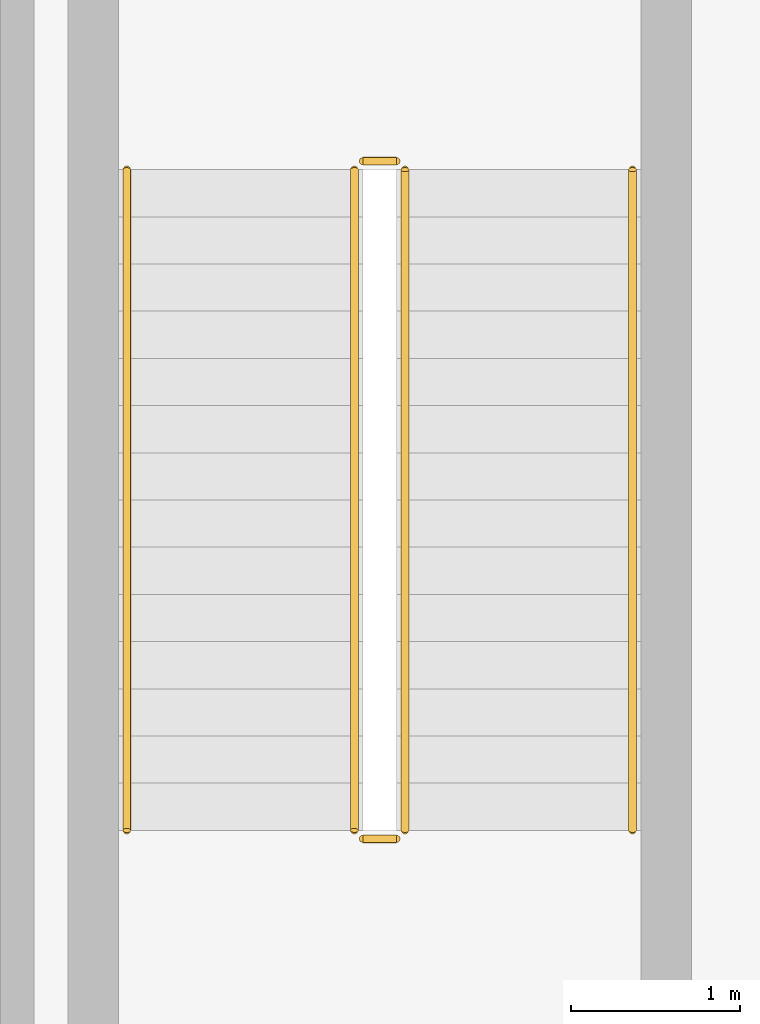
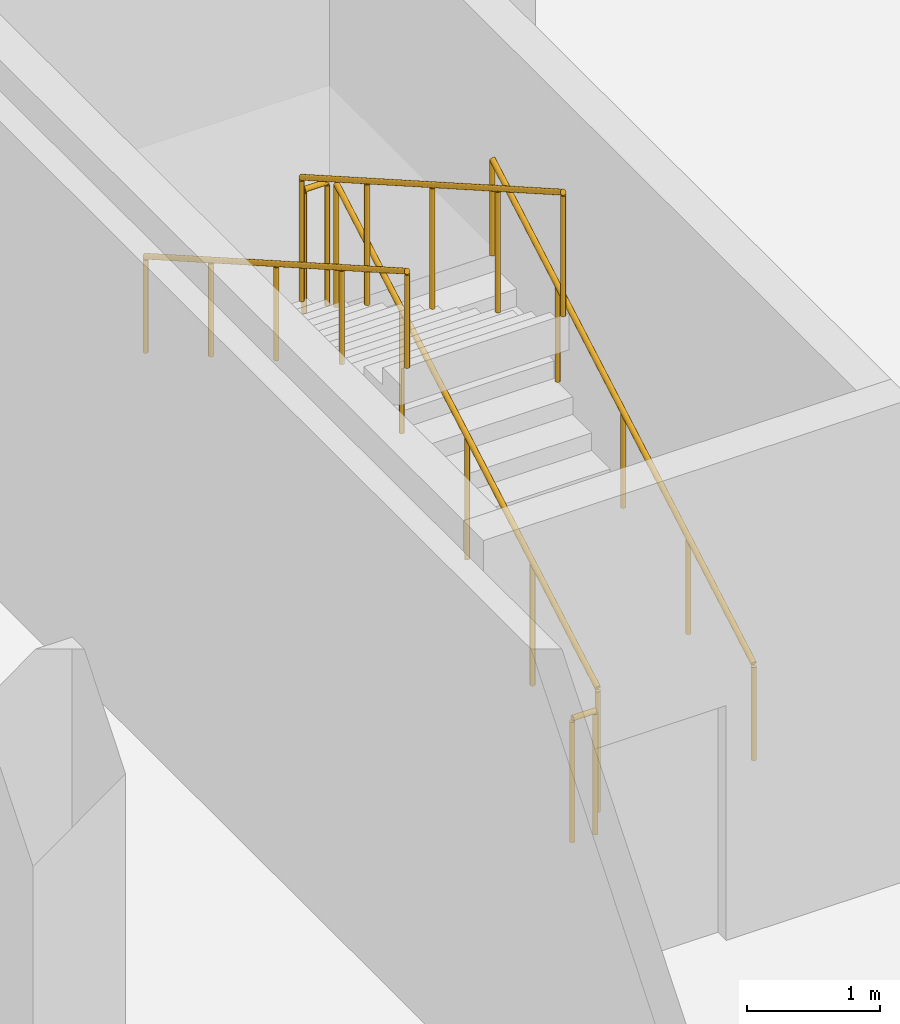
# One storey, part 15 of 17: 6 railings.
"""IFC4 building model written with IfcOpenShell, lengths in metres."""

from ifc_helpers import new_model, si_unit, direction, frame, origin, origin_2d, place, context, subcontext, project, spatial, circle, extrude, material, type_object, element, save


model = new_model("IFC4")

# Units and contexts
model_context = context("Model", 3, precision=1e-05, world=origin(), true_north=direction((0.0, 1.0)))
body_context = subcontext(model_context, "Body", "Model", "MODEL_VIEW")
ifc_project = project(units=[si_unit("LENGTHUNIT", "METRE"), si_unit("AREAUNIT", "SQUARE_METRE"), si_unit("VOLUMEUNIT", "CUBIC_METRE"), si_unit("PLANEANGLEUNIT", "RADIAN"), si_unit("MASSUNIT", "GRAM", prefix="KILO")], contexts=[model_context])

# Site, building, storey
site_placement = place(None, origin())
site = spatial("IfcSite", under=ifc_project, at=site_placement, CompositionType="ELEMENT")
building_placement = place(site_placement, origin())
building = spatial("IfcBuilding", under=site, at=building_placement, Name="Brinegate Botanical Conservatory", CompositionType="ELEMENT")
storey_placement = place(building_placement, frame((0.0, 0.0, -4.800048828125)))
storey = spatial("IfcBuildingStorey", under=building, at=storey_placement, Name="B1", CompositionType="ELEMENT", Elevation=-4.800048828125)

# Railings
ifc_material_1 = material(Name="Structural steel Q355B / S355 painted tubular guardrail", Category="steel")
railing_type_1 = type_object("IfcRailingType", Name="Rail_ST-GRD", PredefinedType="GUARDRAIL", material=ifc_material_1)
railing_1_placement = place(storey_placement, frame((14.10009765625, 96.89990234375, 0.16015625)))
element("IfcRailing", 1, at=railing_1_placement, inside=storey, type_object=railing_type_1, Name="B1 ST8 stair guard 1", PredefinedType="GUARDRAIL", context=body_context, shape_type="SweptSolid", body=[
    extrude(circle(Radius=0.02392578125, at=origin_2d()), frame((0.0, 0.0, 1.1259765625), z_axis=(0.0, 0.86825312469, 0.496121468458), x_axis=(-1.0, 0.0, 0.0)), (0.0, 0.0, 1.0), 4.514892578125),
    extrude(circle(Radius=0.02099609375, at=origin_2d()), origin(), (0.0, 0.0, 1.0), 1.101806640625),
    extrude(circle(Radius=0.02099609375, at=origin_2d()), frame((0.0, 0.97998046875, 0.56005859375)), (0.0, 0.0, 1.0), 1.101806640625),
    extrude(circle(Radius=0.02099609375, at=origin_2d()), frame((0.0, 1.9599609375, 1.1201171875)), (0.0, 0.0, 1.0), 1.101806640625),
    extrude(circle(Radius=0.02099609375, at=origin_2d()), frame((0.0, 2.940185546875, 1.679931640625)), (0.0, 0.0, 1.0), 1.101806640625),
    extrude(circle(Radius=0.02099609375, at=origin_2d()), frame((0.0, 3.920166015625, 2.239990234375)), (0.0, 0.0, 1.0), 1.101806640625),
])
railing_2_placement = place(storey_placement, frame((14.050048828125, 100.8701171875, 2.400146484375)))
element("IfcRailing", 2, at=railing_2_placement, inside=storey, type_object=railing_type_1, Name="B1 ST8 stair guard 2", PredefinedType="GUARDRAIL", context=body_context, shape_type="SweptSolid", body=[
    extrude(circle(Radius=0.02392578125, at=origin_2d()), frame((0.0, 0.0, 1.1259765625), z_axis=(-1.0, 0.0, 0.0), x_axis=(0.0, -1.0, 0.0)), (0.0, 0.0, 1.0), 0.199951171875),
    extrude(circle(Radius=0.02099609375, at=origin_2d()), origin(), (0.0, 0.0, 1.0), 1.101806640625),
    extrude(circle(Radius=0.02099609375, at=origin_2d()), frame((-0.199951171875, 0.0, 0.0)), (0.0, 0.0, 1.0), 1.101806640625),
])
railing_3_placement = place(storey_placement, frame((13.800048828125, 100.820068359375, 2.56005859375)))
element("IfcRailing", 3, at=railing_3_placement, inside=storey, type_object=railing_type_1, Name="B1 ST8 stair guard 3", PredefinedType="GUARDRAIL", context=body_context, shape_type="SweptSolid", body=[
    extrude(circle(Radius=0.02392578125, at=origin_2d()), frame((0.0, 0.0, 1.1259765625), z_axis=(0.0, -0.86825312469, 0.496121468458), x_axis=(1.0, 0.0, 0.0)), (0.0, 0.0, 1.0), 4.514892578125),
    extrude(circle(Radius=0.02099609375, at=origin_2d()), origin(), (0.0, 0.0, 1.0), 1.101806640625),
    extrude(circle(Radius=0.02099609375, at=origin_2d()), frame((0.0, -0.97998046875, 0.56005859375)), (0.0, 0.0, 1.0), 1.101806640625),
    extrude(circle(Radius=0.02099609375, at=origin_2d()), frame((0.0, -1.9599609375, 1.1201171875)), (0.0, 0.0, 1.0), 1.101806640625),
    extrude(circle(Radius=0.02099609375, at=origin_2d()), frame((0.0, -2.940185546875, 1.679931640625)), (0.0, 0.0, 1.0), 1.101806640625),
    extrude(circle(Radius=0.02099609375, at=origin_2d()), frame((0.0, -3.920166015625, 2.239990234375)), (0.0, 0.0, 1.0), 1.101806640625),
])
railing_4_placement = place(storey_placement, frame((14.050048828125, 96.85009765625, 0.0)))
element("IfcRailing", 4, at=railing_4_placement, inside=storey, type_object=railing_type_1, Name="B1 ST8 stair guard 4", PredefinedType="GUARDRAIL", context=body_context, shape_type="SweptSolid", body=[
    extrude(circle(Radius=0.02392578125, at=origin_2d()), frame((0.0, 0.0, 1.1259765625), z_axis=(-1.0, 0.0, 0.0), x_axis=(0.0, -1.0, 0.0)), (0.0, 0.0, 1.0), 0.199951171875),
    extrude(circle(Radius=0.02099609375, at=origin_2d()), origin(), (0.0, 0.0, 1.0), 1.101806640625),
    extrude(circle(Radius=0.02099609375, at=origin_2d()), frame((-0.199951171875, 0.0, 0.0)), (0.0, 0.0, 1.0), 1.101806640625),
])
ifc_material_2 = material(Name="Brushed stainless steel S355 handrail", Category="steel")
railing_type_2 = type_object("IfcRailingType", Name="Rail_ST-HND", PredefinedType="HANDRAIL", material=ifc_material_2)
railing_5_placement = place(storey_placement, frame((15.449951171875, 96.89990234375, 0.16015625)))
element("IfcRailing", 5, at=railing_5_placement, inside=storey, type_object=railing_type_2, Name="B1 ST8 stair handrail 1", PredefinedType="HANDRAIL", context=body_context, shape_type="SweptSolid", body=[
    extrude(circle(Radius=0.02392578125, at=origin_2d()), frame((0.0, 0.0, 0.8759765625), z_axis=(0.0, 0.86825312469, 0.496121468458), x_axis=(-1.0, 0.0, 0.0)), (0.0, 0.0, 1.0), 4.514892578125),
    extrude(circle(Radius=0.02099609375, at=origin_2d()), origin(), (0.0, 0.0, 1.0), 0.851806640625),
    extrude(circle(Radius=0.02099609375, at=origin_2d()), frame((0.0, 0.97998046875, 0.56005859375)), (0.0, 0.0, 1.0), 0.851806640625),
    extrude(circle(Radius=0.02099609375, at=origin_2d()), frame((0.0, 1.9599609375, 1.1201171875)), (0.0, 0.0, 1.0), 0.851806640625),
    extrude(circle(Radius=0.02099609375, at=origin_2d()), frame((0.0, 2.940185546875, 1.679931640625)), (0.0, 0.0, 1.0), 0.851806640625),
    extrude(circle(Radius=0.02099609375, at=origin_2d()), frame((0.0, 3.920166015625, 2.239990234375)), (0.0, 0.0, 1.0), 0.851806640625),
])
railing_6_placement = place(storey_placement, frame((12.449951171875, 100.820068359375, 2.56005859375)))
element("IfcRailing", 6, at=railing_6_placement, inside=storey, type_object=railing_type_2, Name="B1 ST8 stair handrail 2", PredefinedType="HANDRAIL", context=body_context, shape_type="SweptSolid", body=[
    extrude(circle(Radius=0.02392578125, at=origin_2d()), frame((0.0, 0.0, 0.8759765625), z_axis=(0.0, -0.86825312469, 0.496121468458), x_axis=(1.0, 0.0, 0.0)), (0.0, 0.0, 1.0), 4.514892578125),
    extrude(circle(Radius=0.02099609375, at=origin_2d()), origin(), (0.0, 0.0, 1.0), 0.851806640625),
    extrude(circle(Radius=0.02099609375, at=origin_2d()), frame((0.0, -0.97998046875, 0.56005859375)), (0.0, 0.0, 1.0), 0.851806640625),
    extrude(circle(Radius=0.02099609375, at=origin_2d()), frame((0.0, -1.9599609375, 1.1201171875)), (0.0, 0.0, 1.0), 0.851806640625),
    extrude(circle(Radius=0.02099609375, at=origin_2d()), frame((0.0, -2.940185546875, 1.679931640625)), (0.0, 0.0, 1.0), 0.851806640625),
    extrude(circle(Radius=0.02099609375, at=origin_2d()), frame((0.0, -3.920166015625, 2.239990234375)), (0.0, 0.0, 1.0), 0.851806640625),
])

save(model, "model.ifc")
